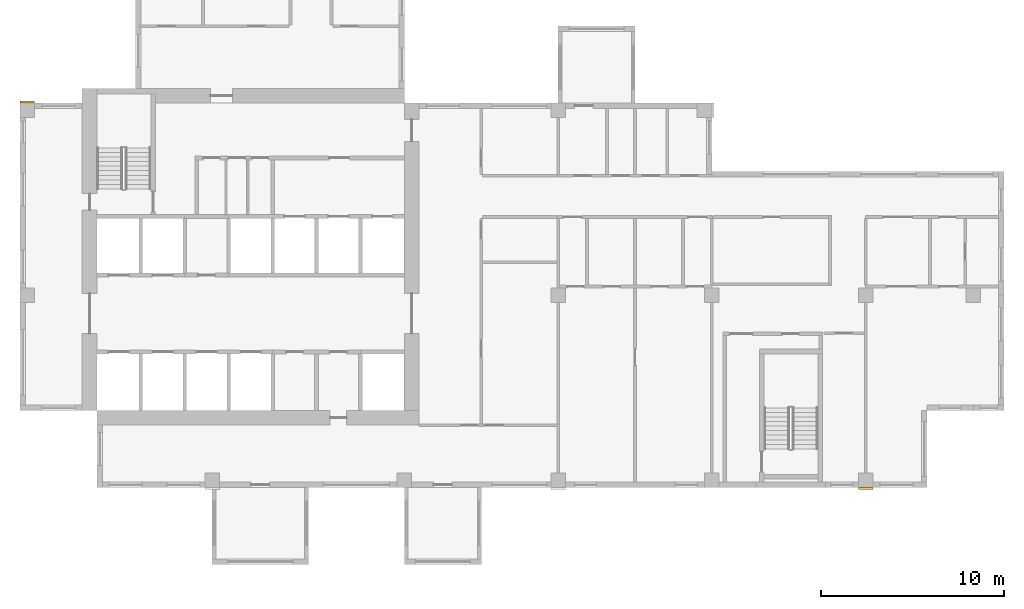
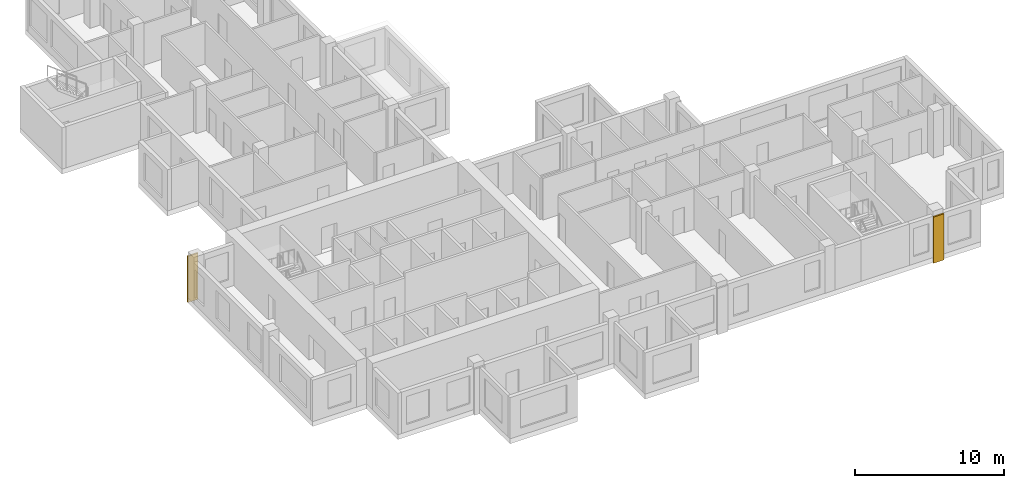
# One storey, part 10 of 12: 2 coverings.
"""IFC4 building model written with IfcOpenShell, lengths in metres."""

import ifcopenshell
import ifcopenshell.guid

model = None  # the IFC model being written
_history = None  # IfcOwnerHistory: only IFC2X3 demands one
_inside = {}  # id of a spatial element -> (the spatial element, [elements in it])
_under = {}  # id of a project, library or spatial element -> (it, [spatial elements below it])
_declared = {}  # id of a project -> (the project, [libraries it declares])
_typed = {}  # id of a type object -> (the type object, [elements of that type])
_made_of = {}  # id of a material, layer set ... -> (it, [elements and type objects made of it])


def new_model(schema):
    """Start an empty IFC model of exactly this schema.

    Asked for "IFC4X3", IfcOpenShell would pick the latest addendum, in which some entities
    have other attributes; the version numbers below select the first issue.
    IFC2X3 requires an IfcOwnerHistory on every rooted entity: one is made here for all.
    """
    global model, _history
    if schema == "IFC4X3":
        model = ifcopenshell.file(schema_version=(4, 3, 0, 0))
    else:
        model = ifcopenshell.file(schema=schema)
    _inside.clear()
    _under.clear()
    _declared.clear()
    _typed.clear()
    _made_of.clear()
    _history = None
    if model.schema == "IFC2X3":
        org = make("IfcOrganization", Name="unknown")
        user = make(
            "IfcPersonAndOrganization",
            ThePerson=make("IfcPerson", FamilyName="unknown"),
            TheOrganization=org,
        )
        app = make(
            "IfcApplication",
            ApplicationDeveloper=org,
            Version="unknown",
            ApplicationFullName="unknown",
            ApplicationIdentifier="unknown",
        )
        _history = make(
            "IfcOwnerHistory",
            OwningUser=user,
            OwningApplication=app,
            ChangeAction="ADDED",
            CreationDate=0,
        )
    return model


def make(cls, **values):
    """One entity of the class cls with the attributes given. An attribute that is None is left unset."""
    return model.create_entity(
        cls, **{name: value for name, value in values.items() if value is not None}
    )


def rooted(cls, **values):
    """An entity with a GlobalId (a new one), such as an element, a storey or a relation."""
    return make(cls, GlobalId=ifcopenshell.guid.new(), OwnerHistory=_history, **values)


def si_unit(unit_type, name, prefix=None):
    """IfcSIUnit, for example si_unit("LENGTHUNIT", "METRE", prefix="MILLI")."""
    return make("IfcSIUnit", UnitType=unit_type, Prefix=prefix, Name=name)


def assignment(units):
    """IfcUnitAssignment: the units of a project."""
    return None if units is None else make("IfcUnitAssignment", Units=units)


def point(xyz):
    """IfcCartesianPoint."""
    return None if xyz is None else make("IfcCartesianPoint", Coordinates=xyz)


def direction(xyz):
    """IfcDirection."""
    return None if xyz is None else make("IfcDirection", DirectionRatios=xyz)


def frame(location, z_axis=None, x_axis=None):
    """IfcAxis2Placement3D, a coordinate frame: its origin and axes. An axis left out is left unset."""
    return make(
        "IfcAxis2Placement3D",
        Location=point(location),
        Axis=direction(z_axis),
        RefDirection=direction(x_axis),
    )


def frame_2d(location, x_axis=None):
    """IfcAxis2Placement2D, a coordinate frame in the plane: its origin and x axis."""
    return make(
        "IfcAxis2Placement2D", Location=point(location), RefDirection=direction(x_axis)
    )


def origin():
    """The frame at (0, 0, 0) with its axes left unset."""
    return frame((0.0, 0.0, 0.0))


def origin_2d():
    """The frame at (0, 0) in the plane with its x axis left unset."""
    return frame_2d((0.0, 0.0))


def place(relative_to, where):
    """IfcLocalPlacement: puts the frame where relative to a parent placement (None: the world)."""
    return make(
        "IfcLocalPlacement", PlacementRelTo=relative_to, RelativePlacement=where
    )


def context(
    kind, dimensions, precision=None, world=None, true_north=None, identifier=None
):
    """IfcGeometricRepresentationContext, for example the 3D "Model" context."""
    return make(
        "IfcGeometricRepresentationContext",
        ContextIdentifier=identifier,
        ContextType=kind,
        CoordinateSpaceDimension=dimensions,
        Precision=precision,
        WorldCoordinateSystem=world,
        TrueNorth=true_north,
    )


def subcontext(parent, identifier, kind, view, scale=None):
    """IfcGeometricRepresentationSubContext, for example "Body" below "Model"."""
    return make(
        "IfcGeometricRepresentationSubContext",
        ContextIdentifier=identifier,
        ContextType=kind,
        ParentContext=parent,
        TargetScale=scale,
        TargetView=view,
    )


def project(units=None, contexts=None):
    """IfcProject with its units and contexts."""
    return rooted(
        "IfcProject",
        Name="project",
        RepresentationContexts=contexts,
        UnitsInContext=assignment(units),
    )


def spatial(cls, under=None, at=None, **own):
    """A site, building, storey or space (cls), placed at a placement, below another one or the project."""
    s = rooted(cls, ObjectPlacement=at, **own)
    if under is not None:
        _under.setdefault(under.id(), (under, []))[1].append(s)
    return s


def profile(cls, at=None, kind="AREA", **sizes):
    """A parametric profile (cls). Its sizes go by their IFC names, for example OverallWidth=200.0."""
    return make(cls, ProfileType=kind, Position=at, **sizes)


def rectangle(**sizes):
    """IfcRectangleProfileDef."""
    return profile("IfcRectangleProfileDef", **sizes)


def extrude(swept, where, along, depth):
    """IfcExtrudedAreaSolid: the profile swept, set in the frame where, extruded along a direction by depth."""
    return make(
        "IfcExtrudedAreaSolid",
        SweptArea=swept,
        Position=where,
        ExtrudedDirection=direction(along),
        Depth=depth,
    )


def shape(context_of_items, identifier, shape_type, items):
    """IfcShapeRepresentation: the items that make up one representation, for example the "Body"."""
    return make(
        "IfcShapeRepresentation",
        ContextOfItems=context_of_items,
        RepresentationIdentifier=identifier,
        RepresentationType=shape_type,
        Items=items,
    )


def source(mapping_origin, context_of_items, identifier, shape_type, items):
    """IfcRepresentationMap: a shape defined once, which mapped items show again and again."""
    return make(
        "IfcRepresentationMap",
        MappingOrigin=mapping_origin,
        MappedRepresentation=shape(context_of_items, identifier, shape_type, items),
    )


def transform(
    local_origin,
    x_axis=None,
    y_axis=None,
    z_axis=None,
    scale=None,
    scale2=None,
    scale3=None,
    uniform=True,
):
    """IfcCartesianTransformationOperator3D, or its non-uniform kind. x_axis, y_axis, z_axis: its Axis1, 2, 3."""
    if uniform:
        return make(
            "IfcCartesianTransformationOperator3D",
            Axis1=direction(x_axis),
            Axis2=direction(y_axis),
            LocalOrigin=point(local_origin),
            Scale=scale,
            Axis3=direction(z_axis),
        )
    return make(
        "IfcCartesianTransformationOperator3DnonUniform",
        Axis1=direction(x_axis),
        Axis2=direction(y_axis),
        LocalOrigin=point(local_origin),
        Scale=scale,
        Axis3=direction(z_axis),
        Scale2=scale2,
        Scale3=scale3,
    )


def mapped(mapping_source, mapping_target):
    """IfcMappedItem: shows the shape of a source again, moved by a transform."""
    return make(
        "IfcMappedItem", MappingSource=mapping_source, MappingTarget=mapping_target
    )


def material(Name=None, Category=None):
    """IfcMaterial."""
    return make("IfcMaterial", Name=Name, Category=Category)


def made_of(thing, what):
    """Note that an element or type object is made of a material, layer set ...; save() writes the relation."""
    if what is not None:
        _made_of.setdefault(what.id(), (what, []))[1].append(thing)
    return thing


def type_object(cls, material=None, **own):
    """A type object (cls), such as IfcWallType, which elements share."""
    return made_of(rooted(cls, **own), material)


def element(
    cls,
    number,
    at=None,
    inside=None,
    cuts=None,
    type_object=None,
    material=None,
    context=None,
    identifier="Body",
    shape_type=None,
    held_by="IfcProductDefinitionShape",
    body=None,
    shapes=None,
    **own,
):
    """One element of the class cls, such as IfcWall. Its Tag is "e" and its number.

    at: its placement. inside: the storey or other place that contains it. cuts: it is an
    opening in that element (IfcRelVoidsElement). A single representation is given by context,
    identifier, shape_type and body (its items); several are given by shapes. held_by: the class
    of the entity that holds the representations. save() writes the other relations.
    """
    e = rooted(cls, Tag="e%d" % number, ObjectPlacement=at, **own)
    if body is not None:
        shapes = [shape(context, identifier, shape_type, body)]
    if shapes is not None:
        e.Representation = make(held_by, Representations=shapes)
    if inside is not None:
        _inside.setdefault(inside.id(), (inside, []))[1].append(e)
    if cuts is not None:
        rooted(
            "IfcRelVoidsElement", RelatingBuildingElement=cuts, RelatedOpeningElement=e
        )
    if type_object is not None:
        _typed.setdefault(type_object.id(), (type_object, []))[1].append(e)
    return made_of(e, material)


def aggregate(whole, parts):
    """IfcRelAggregates: a whole, such as a stair, and the parts it consists of."""
    return rooted("IfcRelAggregates", RelatingObject=whole, RelatedObjects=parts)


def save(model, path):
    """Write the relations noted so far, then the file.

    IfcRelAggregates (storeys below a building ...), IfcRelContainedInSpatialStructure (elements
    in a storey), IfcRelDefinesByType, IfcRelAssociatesMaterial and IfcRelDeclares: one each for
    every whole, place, type object, material and project.
    """
    for whole, parts in _under.values():
        aggregate(whole, parts)
    for where, things in _inside.values():
        rooted(
            "IfcRelContainedInSpatialStructure",
            RelatedElements=things,
            RelatingStructure=where,
        )
    for kind, things in _typed.values():
        rooted("IfcRelDefinesByType", RelatedObjects=things, RelatingType=kind)
    for what, things in _made_of.values():
        rooted("IfcRelAssociatesMaterial", RelatedObjects=things, RelatingMaterial=what)
    for by, libraries in _declared.values():
        rooted("IfcRelDeclares", RelatingContext=by, RelatedDefinitions=libraries)
    model.write(path)


model = new_model("IFC4")

# Units and contexts
model_context = context("Model", 3, precision=1e-05, world=origin(), true_north=direction((0.0, 1.0)))
body_context = subcontext(model_context, "Body", "Model", "MODEL_VIEW")
ifc_project = project(units=[si_unit("LENGTHUNIT", "METRE"), si_unit("AREAUNIT", "SQUARE_METRE"), si_unit("VOLUMEUNIT", "CUBIC_METRE"), si_unit("PLANEANGLEUNIT", "RADIAN"), si_unit("MASSUNIT", "GRAM", prefix="KILO")], contexts=[model_context])

# Site, building, storey
site_placement = place(None, origin())
site = spatial("IfcSite", under=ifc_project, at=site_placement, CompositionType="ELEMENT")
building_placement = place(site_placement, origin())
building = spatial("IfcBuilding", under=site, at=building_placement, Name="Aurelian Terraces", CompositionType="ELEMENT")
storey_placement = place(building_placement, frame((0.0, 0.0, 242.4)))
storey = spatial("IfcBuildingStorey", under=building, at=storey_placement, Name="L55", CompositionType="ELEMENT", Elevation=242.4)

# Coverings
ifc_material = material(Name="Terracotta rainscreen cladding relief", Category="masonry")
covering_type = type_object("IfcCoveringType", Name="BAGUETTE-TC", PredefinedType="CLADDING", material=ifc_material)
shared_shape = source(origin(), body_context, "Body", "SweptSolid", [
    extrude(rectangle(XDim=0.8, YDim=0.12, at=origin_2d()), origin(), (0.0, 0.0, 1.0), 3.8),
])
for number, where, z_axis, x_axis, name in (
    (1, (46.2, -0.06, -0.4), (0.0, 0.0, 1.0), (1.0, 0.0, 0.0), "BAGUETTE pier L55 3"),
    (2, (0.4, 21.06, -0.4), (0.0, 0.0, 1.0), (1.0, 0.0, 0.0), "BAGUETTE pier L55 4"),
):
    element("IfcCovering", number, at=place(storey_placement, frame(where, z_axis=z_axis, x_axis=x_axis)), inside=storey, type_object=covering_type, Name=name, PredefinedType="CLADDING", context=body_context, shape_type="MappedRepresentation", body=[
        mapped(shared_shape, transform((0.0, 0.0, 0.0), scale=1.0)),
    ])

save(model, "model.ifc")
